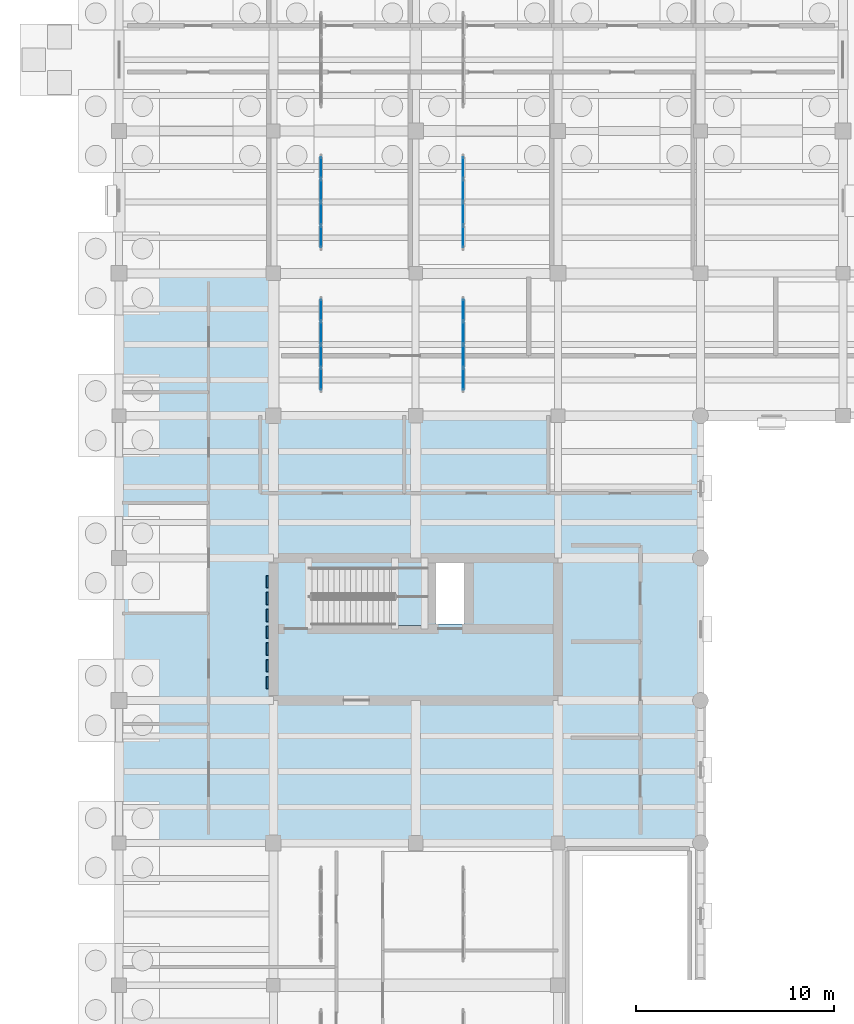
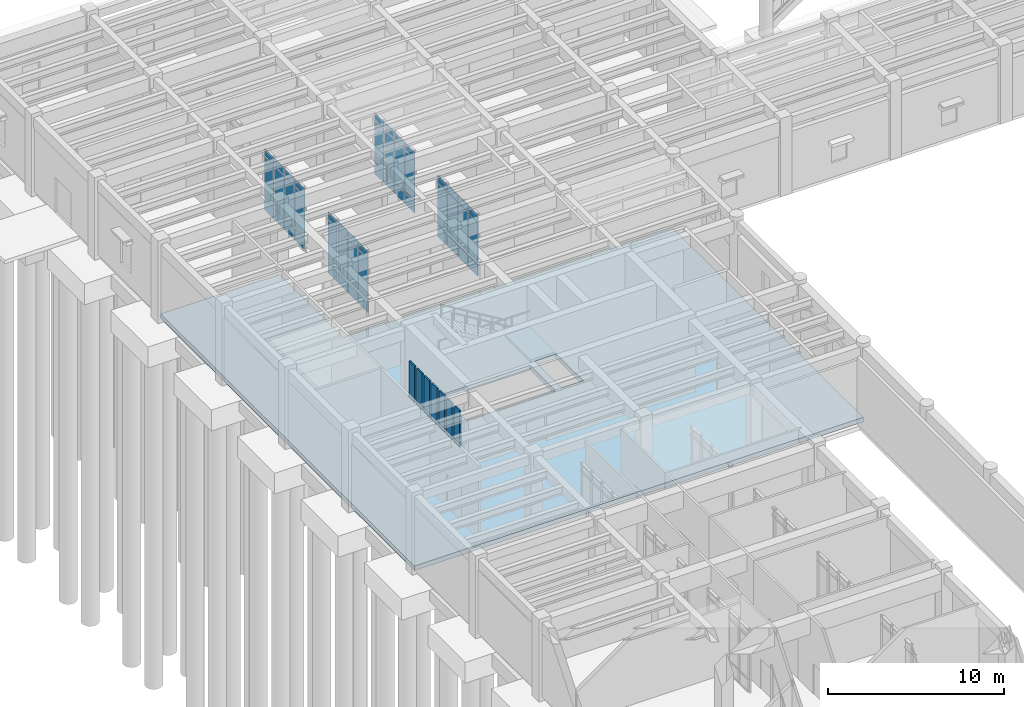
# One storey, part 56 of 100: 55 plates, 2 slabs, 5 elements without a shape of their own.
"""IFC4 building model written with IfcOpenShell, lengths in metres."""

from ifc_helpers import new_model, si_unit, direction, frame, origin, origin_2d, place, context, subcontext, project, spatial, polyline, rectangle, outline, extrude, material, layer, layer_set, type_object, element, aggregate, save


model = new_model("IFC4")

# Units and contexts
model_context = context("Model", 3, precision=1e-05, world=origin(), true_north=direction((0.0, 1.0)))
body_context = subcontext(model_context, "Body", "Model", "MODEL_VIEW")
ifc_project = project(units=[si_unit("LENGTHUNIT", "METRE"), si_unit("AREAUNIT", "SQUARE_METRE"), si_unit("VOLUMEUNIT", "CUBIC_METRE"), si_unit("PLANEANGLEUNIT", "RADIAN"), si_unit("MASSUNIT", "GRAM", prefix="KILO")], contexts=[model_context])

# Site, building, storey
site_placement = place(None, origin())
site = spatial("IfcSite", under=ifc_project, at=site_placement, CompositionType="ELEMENT")
building_placement = place(site_placement, origin())
building = spatial("IfcBuilding", under=site, at=building_placement, Name="Mithqara Police Headquarters", CompositionType="ELEMENT")
storey_placement = place(building_placement, origin())
storey = spatial("IfcBuildingStorey", under=building, at=storey_placement, Name="L00", CompositionType="ELEMENT", Elevation=0.0)

# Curtain wall, plates
ifc_material_1 = material(Name="Bronze anodised aluminium 6063-T6", Category="aluminium")
curtain_wall_type = type_object("IfcCurtainWallType", Name="CURTAIN WALL 4700X4400", PredefinedType="USERDEFINED", material=ifc_material_1)
curtain_wall_1_placement = place(storey_placement, origin())
curtain_wall_1 = element("IfcCurtainWall", 1, at=curtain_wall_1_placement, inside=storey, type_object=curtain_wall_type, Name="L00 Unitised Glazing CW-14 (CW-INT-L00-X01-Y11-0)", ObjectType="UNITISED GLAZING", PredefinedType="USERDEFINED")
ifc_material_2 = material(Name="Spectrally selective double low-e glass", Category="glass")
ifc_layer_1 = layer(ifc_material_2, 0.028076171875, Name="Spectrally selective double low-e glass")
ifc_layer_set_1 = layer_set([ifc_layer_1], Name="Spectrally selective double low-e glass")
plate_type_1 = type_object("IfcPlateType", Name="CWPANEL GLASS28", PredefinedType="CURTAIN_PANEL", material=ifc_layer_set_1)
plate_1_placement = place(storey_placement, frame((10.199951171875, 80.456298828125, 0.074951171875), z_axis=(0.0, 0.0, 1.0), x_axis=(0.0, 1.0, 0.0)))
plate_1 = element("IfcPlate", 2, at=plate_1_placement, type_object=plate_type_1, Name="CW-14 panel 1.1", PredefinedType="CURTAIN_PANEL", context=body_context, shape_type="SweptSolid", body=[
    extrude(rectangle(XDim=1.0625, YDim=0.028076171875, at=origin_2d()), origin(), (0.0, 0.0, 1.0), 0.78759765625),
])
plate_2_placement = place(storey_placement, frame((10.199951171875, 80.456298828125, 0.9375), z_axis=(0.0, 0.0, 1.0), x_axis=(0.0, 1.0, 0.0)))
plate_2 = element("IfcPlate", 3, at=plate_2_placement, type_object=plate_type_1, Name="CW-14 panel 1.2", PredefinedType="CURTAIN_PANEL", context=body_context, shape_type="SweptSolid", body=[
    extrude(rectangle(XDim=1.0625, YDim=0.028076171875, at=origin_2d()), origin(), (0.0, 0.0, 1.0), 2.875),
])
plate_3_placement = place(storey_placement, frame((10.199951171875, 80.456298828125, 3.887451171875), z_axis=(0.0, 0.0, 1.0), x_axis=(0.0, 1.0, 0.0)))
plate_3 = element("IfcPlate", 4, at=plate_3_placement, type_object=plate_type_1, Name="CW-14 panel 1.3", PredefinedType="CURTAIN_PANEL", context=body_context, shape_type="SweptSolid", body=[
    extrude(rectangle(XDim=1.0625, YDim=0.028076171875, at=origin_2d()), origin(), (0.0, 0.0, 1.0), 0.4375),
])
plate_4_placement = place(storey_placement, frame((10.199951171875, 81.612548828125, 0.074951171875), z_axis=(0.0, 0.0, 1.0), x_axis=(0.0, 1.0, 0.0)))
plate_4 = element("IfcPlate", 5, at=plate_4_placement, type_object=plate_type_1, Name="CW-14 panel 2.1", PredefinedType="CURTAIN_PANEL", context=body_context, shape_type="SweptSolid", body=[
    extrude(rectangle(XDim=1.10009765625, YDim=0.028076171875, at=origin_2d()), origin(), (0.0, 0.0, 1.0), 0.78759765625),
])
plate_5_placement = place(storey_placement, frame((10.199951171875, 81.612548828125, 0.9375), z_axis=(0.0, 0.0, 1.0), x_axis=(0.0, 1.0, 0.0)))
plate_5 = element("IfcPlate", 6, at=plate_5_placement, type_object=plate_type_1, Name="CW-14 panel 2.2", PredefinedType="CURTAIN_PANEL", context=body_context, shape_type="SweptSolid", body=[
    extrude(rectangle(XDim=1.10009765625, YDim=0.028076171875, at=origin_2d()), origin(), (0.0, 0.0, 1.0), 2.875),
])
plate_6_placement = place(storey_placement, frame((10.199951171875, 81.612548828125, 3.887451171875), z_axis=(0.0, 0.0, 1.0), x_axis=(0.0, 1.0, 0.0)))
plate_6 = element("IfcPlate", 7, at=plate_6_placement, type_object=plate_type_1, Name="CW-14 panel 2.3", PredefinedType="CURTAIN_PANEL", context=body_context, shape_type="SweptSolid", body=[
    extrude(rectangle(XDim=1.10009765625, YDim=0.028076171875, at=origin_2d()), origin(), (0.0, 0.0, 1.0), 0.4375),
])
plate_7_placement = place(storey_placement, frame((10.199951171875, 82.78759765625, 0.074951171875), z_axis=(0.0, 0.0, 1.0), x_axis=(0.0, 1.0, 0.0)))
plate_7 = element("IfcPlate", 8, at=plate_7_placement, type_object=plate_type_1, Name="CW-14 panel 3.1", PredefinedType="CURTAIN_PANEL", context=body_context, shape_type="SweptSolid", body=[
    extrude(rectangle(XDim=1.10009765625, YDim=0.028076171875, at=origin_2d()), origin(), (0.0, 0.0, 1.0), 0.78759765625),
])
plate_8_placement = place(storey_placement, frame((10.199951171875, 82.78759765625, 0.9375), z_axis=(0.0, 0.0, 1.0), x_axis=(0.0, 1.0, 0.0)))
plate_8 = element("IfcPlate", 9, at=plate_8_placement, type_object=plate_type_1, Name="CW-14 panel 3.2", PredefinedType="CURTAIN_PANEL", context=body_context, shape_type="SweptSolid", body=[
    extrude(rectangle(XDim=1.10009765625, YDim=0.028076171875, at=origin_2d()), origin(), (0.0, 0.0, 1.0), 2.875),
])
plate_9_placement = place(storey_placement, frame((10.199951171875, 82.78759765625, 3.887451171875), z_axis=(0.0, 0.0, 1.0), x_axis=(0.0, 1.0, 0.0)))
plate_9 = element("IfcPlate", 10, at=plate_9_placement, type_object=plate_type_1, Name="CW-14 panel 3.3", PredefinedType="CURTAIN_PANEL", context=body_context, shape_type="SweptSolid", body=[
    extrude(rectangle(XDim=1.10009765625, YDim=0.028076171875, at=origin_2d()), origin(), (0.0, 0.0, 1.0), 0.4375),
])
plate_10_placement = place(storey_placement, frame((10.199951171875, 83.94384765625, 0.074951171875), z_axis=(0.0, 0.0, 1.0), x_axis=(0.0, 1.0, 0.0)))
plate_10 = element("IfcPlate", 11, at=plate_10_placement, type_object=plate_type_1, Name="CW-14 panel 4.1", PredefinedType="CURTAIN_PANEL", context=body_context, shape_type="SweptSolid", body=[
    extrude(rectangle(XDim=1.0625, YDim=0.028076171875, at=origin_2d()), origin(), (0.0, 0.0, 1.0), 0.78759765625),
])
plate_11_placement = place(storey_placement, frame((10.199951171875, 83.94384765625, 0.9375), z_axis=(0.0, 0.0, 1.0), x_axis=(0.0, 1.0, 0.0)))
plate_11 = element("IfcPlate", 12, at=plate_11_placement, type_object=plate_type_1, Name="CW-14 panel 4.2", PredefinedType="CURTAIN_PANEL", context=body_context, shape_type="SweptSolid", body=[
    extrude(rectangle(XDim=1.0625, YDim=0.028076171875, at=origin_2d()), origin(), (0.0, 0.0, 1.0), 2.875),
])
plate_12_placement = place(storey_placement, frame((10.199951171875, 83.94384765625, 3.887451171875), z_axis=(0.0, 0.0, 1.0), x_axis=(0.0, 1.0, 0.0)))
plate_12 = element("IfcPlate", 13, at=plate_12_placement, type_object=plate_type_1, Name="CW-14 panel 4.3", PredefinedType="CURTAIN_PANEL", context=body_context, shape_type="SweptSolid", body=[
    extrude(rectangle(XDim=1.0625, YDim=0.028076171875, at=origin_2d()), origin(), (0.0, 0.0, 1.0), 0.4375),
])
aggregate(curtain_wall_1, [plate_1, plate_2, plate_3, plate_4, plate_5, plate_6, plate_7, plate_8, plate_9, plate_10, plate_11, plate_12])

curtain_wall_2_placement = place(storey_placement, origin())
curtain_wall_2 = element("IfcCurtainWall", 14, at=curtain_wall_2_placement, inside=storey, type_object=curtain_wall_type, Name="L00 Unitised Glazing CW-14 (CW-INT-L00-X01-Y12-0)", ObjectType="UNITISED GLAZING", PredefinedType="USERDEFINED")
plate_13_placement = place(storey_placement, frame((10.199951171875, 87.65625, 0.074951171875), z_axis=(0.0, 0.0, 1.0), x_axis=(0.0, 1.0, 0.0)))
plate_13 = element("IfcPlate", 15, at=plate_13_placement, type_object=plate_type_1, Name="CW-14 panel 1.1", PredefinedType="CURTAIN_PANEL", context=body_context, shape_type="SweptSolid", body=[
    extrude(rectangle(XDim=1.0625, YDim=0.028076171875, at=origin_2d()), origin(), (0.0, 0.0, 1.0), 0.78759765625),
])
plate_14_placement = place(storey_placement, frame((10.199951171875, 87.65625, 0.9375), z_axis=(0.0, 0.0, 1.0), x_axis=(0.0, 1.0, 0.0)))
plate_14 = element("IfcPlate", 16, at=plate_14_placement, type_object=plate_type_1, Name="CW-14 panel 1.2", PredefinedType="CURTAIN_PANEL", context=body_context, shape_type="SweptSolid", body=[
    extrude(rectangle(XDim=1.0625, YDim=0.028076171875, at=origin_2d()), origin(), (0.0, 0.0, 1.0), 2.875),
])
plate_15_placement = place(storey_placement, frame((10.199951171875, 87.65625, 3.887451171875), z_axis=(0.0, 0.0, 1.0), x_axis=(0.0, 1.0, 0.0)))
plate_15 = element("IfcPlate", 17, at=plate_15_placement, type_object=plate_type_1, Name="CW-14 panel 1.3", PredefinedType="CURTAIN_PANEL", context=body_context, shape_type="SweptSolid", body=[
    extrude(rectangle(XDim=1.0625, YDim=0.028076171875, at=origin_2d()), origin(), (0.0, 0.0, 1.0), 0.4375),
])
plate_16_placement = place(storey_placement, frame((10.199951171875, 88.8125, 0.074951171875), z_axis=(0.0, 0.0, 1.0), x_axis=(0.0, 1.0, 0.0)))
plate_16 = element("IfcPlate", 18, at=plate_16_placement, type_object=plate_type_1, Name="CW-14 panel 2.1", PredefinedType="CURTAIN_PANEL", context=body_context, shape_type="SweptSolid", body=[
    extrude(rectangle(XDim=1.10009765625, YDim=0.028076171875, at=origin_2d()), origin(), (0.0, 0.0, 1.0), 0.78759765625),
])
plate_17_placement = place(storey_placement, frame((10.199951171875, 88.8125, 0.9375), z_axis=(0.0, 0.0, 1.0), x_axis=(0.0, 1.0, 0.0)))
plate_17 = element("IfcPlate", 19, at=plate_17_placement, type_object=plate_type_1, Name="CW-14 panel 2.2", PredefinedType="CURTAIN_PANEL", context=body_context, shape_type="SweptSolid", body=[
    extrude(rectangle(XDim=1.10009765625, YDim=0.028076171875, at=origin_2d()), origin(), (0.0, 0.0, 1.0), 2.875),
])
plate_18_placement = place(storey_placement, frame((10.199951171875, 88.8125, 3.887451171875), z_axis=(0.0, 0.0, 1.0), x_axis=(0.0, 1.0, 0.0)))
plate_18 = element("IfcPlate", 20, at=plate_18_placement, type_object=plate_type_1, Name="CW-14 panel 2.3", PredefinedType="CURTAIN_PANEL", context=body_context, shape_type="SweptSolid", body=[
    extrude(rectangle(XDim=1.10009765625, YDim=0.028076171875, at=origin_2d()), origin(), (0.0, 0.0, 1.0), 0.4375),
])
plate_19_placement = place(storey_placement, frame((10.199951171875, 89.987548828125, 0.074951171875), z_axis=(0.0, 0.0, 1.0), x_axis=(0.0, 1.0, 0.0)))
plate_19 = element("IfcPlate", 21, at=plate_19_placement, type_object=plate_type_1, Name="CW-14 panel 3.1", PredefinedType="CURTAIN_PANEL", context=body_context, shape_type="SweptSolid", body=[
    extrude(rectangle(XDim=1.10009765625, YDim=0.028076171875, at=origin_2d()), origin(), (0.0, 0.0, 1.0), 0.78759765625),
])
plate_20_placement = place(storey_placement, frame((10.199951171875, 89.987548828125, 0.9375), z_axis=(0.0, 0.0, 1.0), x_axis=(0.0, 1.0, 0.0)))
plate_20 = element("IfcPlate", 22, at=plate_20_placement, type_object=plate_type_1, Name="CW-14 panel 3.2", PredefinedType="CURTAIN_PANEL", context=body_context, shape_type="SweptSolid", body=[
    extrude(rectangle(XDim=1.10009765625, YDim=0.028076171875, at=origin_2d()), origin(), (0.0, 0.0, 1.0), 2.875),
])
plate_21_placement = place(storey_placement, frame((10.199951171875, 89.987548828125, 3.887451171875), z_axis=(0.0, 0.0, 1.0), x_axis=(0.0, 1.0, 0.0)))
plate_21 = element("IfcPlate", 23, at=plate_21_placement, type_object=plate_type_1, Name="CW-14 panel 3.3", PredefinedType="CURTAIN_PANEL", context=body_context, shape_type="SweptSolid", body=[
    extrude(rectangle(XDim=1.10009765625, YDim=0.028076171875, at=origin_2d()), origin(), (0.0, 0.0, 1.0), 0.4375),
])
plate_22_placement = place(storey_placement, frame((10.199951171875, 91.143798828125, 0.074951171875), z_axis=(0.0, 0.0, 1.0), x_axis=(0.0, 1.0, 0.0)))
plate_22 = element("IfcPlate", 24, at=plate_22_placement, type_object=plate_type_1, Name="CW-14 panel 4.1", PredefinedType="CURTAIN_PANEL", context=body_context, shape_type="SweptSolid", body=[
    extrude(rectangle(XDim=1.0625, YDim=0.028076171875, at=origin_2d()), origin(), (0.0, 0.0, 1.0), 0.78759765625),
])
plate_23_placement = place(storey_placement, frame((10.199951171875, 91.143798828125, 0.9375), z_axis=(0.0, 0.0, 1.0), x_axis=(0.0, 1.0, 0.0)))
plate_23 = element("IfcPlate", 25, at=plate_23_placement, type_object=plate_type_1, Name="CW-14 panel 4.2", PredefinedType="CURTAIN_PANEL", context=body_context, shape_type="SweptSolid", body=[
    extrude(rectangle(XDim=1.0625, YDim=0.028076171875, at=origin_2d()), origin(), (0.0, 0.0, 1.0), 2.875),
])
plate_24_placement = place(storey_placement, frame((10.199951171875, 91.143798828125, 3.887451171875), z_axis=(0.0, 0.0, 1.0), x_axis=(0.0, 1.0, 0.0)))
plate_24 = element("IfcPlate", 26, at=plate_24_placement, type_object=plate_type_1, Name="CW-14 panel 4.3", PredefinedType="CURTAIN_PANEL", context=body_context, shape_type="SweptSolid", body=[
    extrude(rectangle(XDim=1.0625, YDim=0.028076171875, at=origin_2d()), origin(), (0.0, 0.0, 1.0), 0.4375),
])
aggregate(curtain_wall_2, [plate_13, plate_14, plate_15, plate_16, plate_17, plate_18, plate_19, plate_20, plate_21, plate_22, plate_23, plate_24])

curtain_wall_3_placement = place(storey_placement, origin())
curtain_wall_3 = element("IfcCurtainWall", 27, at=curtain_wall_3_placement, inside=storey, type_object=curtain_wall_type, Name="L00 Unitised Glazing CW-14 (CW-INT-L00-X02-Y12-0)", ObjectType="UNITISED GLAZING", PredefinedType="USERDEFINED")
plate_25_placement = place(storey_placement, frame((17.39990234375, 87.65625, 0.074951171875), z_axis=(0.0, 0.0, 1.0), x_axis=(0.0, 1.0, 0.0)))
plate_25 = element("IfcPlate", 28, at=plate_25_placement, type_object=plate_type_1, Name="CW-14 panel 1.1", PredefinedType="CURTAIN_PANEL", context=body_context, shape_type="SweptSolid", body=[
    extrude(rectangle(XDim=1.0625, YDim=0.028076171875, at=origin_2d()), origin(), (0.0, 0.0, 1.0), 0.78759765625),
])
plate_26_placement = place(storey_placement, frame((17.39990234375, 87.65625, 0.9375), z_axis=(0.0, 0.0, 1.0), x_axis=(0.0, 1.0, 0.0)))
plate_26 = element("IfcPlate", 29, at=plate_26_placement, type_object=plate_type_1, Name="CW-14 panel 1.2", PredefinedType="CURTAIN_PANEL", context=body_context, shape_type="SweptSolid", body=[
    extrude(rectangle(XDim=1.0625, YDim=0.028076171875, at=origin_2d()), origin(), (0.0, 0.0, 1.0), 2.875),
])
plate_27_placement = place(storey_placement, frame((17.39990234375, 87.65625, 3.887451171875), z_axis=(0.0, 0.0, 1.0), x_axis=(0.0, 1.0, 0.0)))
plate_27 = element("IfcPlate", 30, at=plate_27_placement, type_object=plate_type_1, Name="CW-14 panel 1.3", PredefinedType="CURTAIN_PANEL", context=body_context, shape_type="SweptSolid", body=[
    extrude(rectangle(XDim=1.0625, YDim=0.028076171875, at=origin_2d()), origin(), (0.0, 0.0, 1.0), 0.4375),
])
plate_28_placement = place(storey_placement, frame((17.39990234375, 88.8125, 0.074951171875), z_axis=(0.0, 0.0, 1.0), x_axis=(0.0, 1.0, 0.0)))
plate_28 = element("IfcPlate", 31, at=plate_28_placement, type_object=plate_type_1, Name="CW-14 panel 2.1", PredefinedType="CURTAIN_PANEL", context=body_context, shape_type="SweptSolid", body=[
    extrude(rectangle(XDim=1.10009765625, YDim=0.028076171875, at=origin_2d()), origin(), (0.0, 0.0, 1.0), 0.78759765625),
])
plate_29_placement = place(storey_placement, frame((17.39990234375, 88.8125, 0.9375), z_axis=(0.0, 0.0, 1.0), x_axis=(0.0, 1.0, 0.0)))
plate_29 = element("IfcPlate", 32, at=plate_29_placement, type_object=plate_type_1, Name="CW-14 panel 2.2", PredefinedType="CURTAIN_PANEL", context=body_context, shape_type="SweptSolid", body=[
    extrude(rectangle(XDim=1.10009765625, YDim=0.028076171875, at=origin_2d()), origin(), (0.0, 0.0, 1.0), 2.875),
])
plate_30_placement = place(storey_placement, frame((17.39990234375, 88.8125, 3.887451171875), z_axis=(0.0, 0.0, 1.0), x_axis=(0.0, 1.0, 0.0)))
plate_30 = element("IfcPlate", 33, at=plate_30_placement, type_object=plate_type_1, Name="CW-14 panel 2.3", PredefinedType="CURTAIN_PANEL", context=body_context, shape_type="SweptSolid", body=[
    extrude(rectangle(XDim=1.10009765625, YDim=0.028076171875, at=origin_2d()), origin(), (0.0, 0.0, 1.0), 0.4375),
])
plate_31_placement = place(storey_placement, frame((17.39990234375, 89.987548828125, 0.074951171875), z_axis=(0.0, 0.0, 1.0), x_axis=(0.0, 1.0, 0.0)))
plate_31 = element("IfcPlate", 34, at=plate_31_placement, type_object=plate_type_1, Name="CW-14 panel 3.1", PredefinedType="CURTAIN_PANEL", context=body_context, shape_type="SweptSolid", body=[
    extrude(rectangle(XDim=1.10009765625, YDim=0.028076171875, at=origin_2d()), origin(), (0.0, 0.0, 1.0), 0.78759765625),
])
plate_32_placement = place(storey_placement, frame((17.39990234375, 89.987548828125, 0.9375), z_axis=(0.0, 0.0, 1.0), x_axis=(0.0, 1.0, 0.0)))
plate_32 = element("IfcPlate", 35, at=plate_32_placement, type_object=plate_type_1, Name="CW-14 panel 3.2", PredefinedType="CURTAIN_PANEL", context=body_context, shape_type="SweptSolid", body=[
    extrude(rectangle(XDim=1.10009765625, YDim=0.028076171875, at=origin_2d()), origin(), (0.0, 0.0, 1.0), 2.875),
])
plate_33_placement = place(storey_placement, frame((17.39990234375, 89.987548828125, 3.887451171875), z_axis=(0.0, 0.0, 1.0), x_axis=(0.0, 1.0, 0.0)))
plate_33 = element("IfcPlate", 36, at=plate_33_placement, type_object=plate_type_1, Name="CW-14 panel 3.3", PredefinedType="CURTAIN_PANEL", context=body_context, shape_type="SweptSolid", body=[
    extrude(rectangle(XDim=1.10009765625, YDim=0.028076171875, at=origin_2d()), origin(), (0.0, 0.0, 1.0), 0.4375),
])
plate_34_placement = place(storey_placement, frame((17.39990234375, 91.143798828125, 0.074951171875), z_axis=(0.0, 0.0, 1.0), x_axis=(0.0, 1.0, 0.0)))
plate_34 = element("IfcPlate", 37, at=plate_34_placement, type_object=plate_type_1, Name="CW-14 panel 4.1", PredefinedType="CURTAIN_PANEL", context=body_context, shape_type="SweptSolid", body=[
    extrude(rectangle(XDim=1.0625, YDim=0.028076171875, at=origin_2d()), origin(), (0.0, 0.0, 1.0), 0.78759765625),
])
plate_35_placement = place(storey_placement, frame((17.39990234375, 91.143798828125, 0.9375), z_axis=(0.0, 0.0, 1.0), x_axis=(0.0, 1.0, 0.0)))
plate_35 = element("IfcPlate", 38, at=plate_35_placement, type_object=plate_type_1, Name="CW-14 panel 4.2", PredefinedType="CURTAIN_PANEL", context=body_context, shape_type="SweptSolid", body=[
    extrude(rectangle(XDim=1.0625, YDim=0.028076171875, at=origin_2d()), origin(), (0.0, 0.0, 1.0), 2.875),
])
plate_36_placement = place(storey_placement, frame((17.39990234375, 91.143798828125, 3.887451171875), z_axis=(0.0, 0.0, 1.0), x_axis=(0.0, 1.0, 0.0)))
plate_36 = element("IfcPlate", 39, at=plate_36_placement, type_object=plate_type_1, Name="CW-14 panel 4.3", PredefinedType="CURTAIN_PANEL", context=body_context, shape_type="SweptSolid", body=[
    extrude(rectangle(XDim=1.0625, YDim=0.028076171875, at=origin_2d()), origin(), (0.0, 0.0, 1.0), 0.4375),
])
aggregate(curtain_wall_3, [plate_25, plate_26, plate_27, plate_28, plate_29, plate_30, plate_31, plate_32, plate_33, plate_34, plate_35, plate_36])

curtain_wall_4_placement = place(storey_placement, origin())
curtain_wall_4 = element("IfcCurtainWall", 40, at=curtain_wall_4_placement, inside=storey, type_object=curtain_wall_type, Name="L00 Unitised Glazing CW-14 (CW-INT-L00-X02-Y11-0)", ObjectType="UNITISED GLAZING", PredefinedType="USERDEFINED")
ifc_material_3 = material(Name="Insulated bronze aluminium spandrel panel", Category="aluminium")
ifc_layer_2 = layer(ifc_material_3, 0.048095703125, Name="Insulated bronze aluminium spandrel panel")
ifc_layer_set_2 = layer_set([ifc_layer_2], Name="Insulated bronze aluminium spandrel panel")
plate_type_2 = type_object("IfcPlateType", Name="CWPANEL SPANDREL48", PredefinedType="CURTAIN_PANEL", material=ifc_layer_set_2)
plate_37_placement = place(storey_placement, frame((17.39990234375, 80.456298828125, 0.074951171875), z_axis=(0.0, 0.0, 1.0), x_axis=(0.0, 1.0, 0.0)))
plate_37 = element("IfcPlate", 41, at=plate_37_placement, type_object=plate_type_2, Name="CW-14 panel 1.1", PredefinedType="CURTAIN_PANEL", context=body_context, shape_type="SweptSolid", body=[
    extrude(rectangle(XDim=1.0625, YDim=0.048095703125, at=origin_2d()), origin(), (0.0, 0.0, 1.0), 0.78759765625),
])
plate_38_placement = place(storey_placement, frame((17.39990234375, 80.456298828125, 0.9375), z_axis=(0.0, 0.0, 1.0), x_axis=(0.0, 1.0, 0.0)))
plate_38 = element("IfcPlate", 42, at=plate_38_placement, type_object=plate_type_2, Name="CW-14 panel 1.2", PredefinedType="CURTAIN_PANEL", context=body_context, shape_type="SweptSolid", body=[
    extrude(rectangle(XDim=1.0625, YDim=0.048095703125, at=origin_2d()), origin(), (0.0, 0.0, 1.0), 2.875),
])
plate_39_placement = place(storey_placement, frame((17.39990234375, 80.456298828125, 3.887451171875), z_axis=(0.0, 0.0, 1.0), x_axis=(0.0, 1.0, 0.0)))
plate_39 = element("IfcPlate", 43, at=plate_39_placement, type_object=plate_type_2, Name="CW-14 panel 1.3", PredefinedType="CURTAIN_PANEL", context=body_context, shape_type="SweptSolid", body=[
    extrude(rectangle(XDim=1.0625, YDim=0.048095703125, at=origin_2d()), origin(), (0.0, 0.0, 1.0), 0.4375),
])
plate_40_placement = place(storey_placement, frame((17.39990234375, 81.612548828125, 0.074951171875), z_axis=(0.0, 0.0, 1.0), x_axis=(0.0, 1.0, 0.0)))
plate_40 = element("IfcPlate", 44, at=plate_40_placement, type_object=plate_type_2, Name="CW-14 panel 2.1", PredefinedType="CURTAIN_PANEL", context=body_context, shape_type="SweptSolid", body=[
    extrude(rectangle(XDim=1.10009765625, YDim=0.048095703125, at=origin_2d()), origin(), (0.0, 0.0, 1.0), 0.78759765625),
])
plate_41_placement = place(storey_placement, frame((17.39990234375, 81.612548828125, 0.9375), z_axis=(0.0, 0.0, 1.0), x_axis=(0.0, 1.0, 0.0)))
plate_41 = element("IfcPlate", 45, at=plate_41_placement, type_object=plate_type_2, Name="CW-14 panel 2.2", PredefinedType="CURTAIN_PANEL", context=body_context, shape_type="SweptSolid", body=[
    extrude(rectangle(XDim=1.10009765625, YDim=0.048095703125, at=origin_2d()), origin(), (0.0, 0.0, 1.0), 2.875),
])
plate_42_placement = place(storey_placement, frame((17.39990234375, 81.612548828125, 3.887451171875), z_axis=(0.0, 0.0, 1.0), x_axis=(0.0, 1.0, 0.0)))
plate_42 = element("IfcPlate", 46, at=plate_42_placement, type_object=plate_type_2, Name="CW-14 panel 2.3", PredefinedType="CURTAIN_PANEL", context=body_context, shape_type="SweptSolid", body=[
    extrude(rectangle(XDim=1.10009765625, YDim=0.048095703125, at=origin_2d()), origin(), (0.0, 0.0, 1.0), 0.4375),
])
plate_43_placement = place(storey_placement, frame((17.39990234375, 82.78759765625, 0.074951171875), z_axis=(0.0, 0.0, 1.0), x_axis=(0.0, 1.0, 0.0)))
plate_43 = element("IfcPlate", 47, at=plate_43_placement, type_object=plate_type_2, Name="CW-14 panel 3.1", PredefinedType="CURTAIN_PANEL", context=body_context, shape_type="SweptSolid", body=[
    extrude(rectangle(XDim=1.10009765625, YDim=0.048095703125, at=origin_2d()), origin(), (0.0, 0.0, 1.0), 0.78759765625),
])
plate_44_placement = place(storey_placement, frame((17.39990234375, 82.78759765625, 0.9375), z_axis=(0.0, 0.0, 1.0), x_axis=(0.0, 1.0, 0.0)))
plate_44 = element("IfcPlate", 48, at=plate_44_placement, type_object=plate_type_2, Name="CW-14 panel 3.2", PredefinedType="CURTAIN_PANEL", context=body_context, shape_type="SweptSolid", body=[
    extrude(rectangle(XDim=1.10009765625, YDim=0.048095703125, at=origin_2d()), origin(), (0.0, 0.0, 1.0), 2.875),
])
plate_45_placement = place(storey_placement, frame((17.39990234375, 82.78759765625, 3.887451171875), z_axis=(0.0, 0.0, 1.0), x_axis=(0.0, 1.0, 0.0)))
plate_45 = element("IfcPlate", 49, at=plate_45_placement, type_object=plate_type_2, Name="CW-14 panel 3.3", PredefinedType="CURTAIN_PANEL", context=body_context, shape_type="SweptSolid", body=[
    extrude(rectangle(XDim=1.10009765625, YDim=0.048095703125, at=origin_2d()), origin(), (0.0, 0.0, 1.0), 0.4375),
])
plate_46_placement = place(storey_placement, frame((17.39990234375, 83.94384765625, 0.074951171875), z_axis=(0.0, 0.0, 1.0), x_axis=(0.0, 1.0, 0.0)))
plate_46 = element("IfcPlate", 50, at=plate_46_placement, type_object=plate_type_2, Name="CW-14 panel 4.1", PredefinedType="CURTAIN_PANEL", context=body_context, shape_type="SweptSolid", body=[
    extrude(rectangle(XDim=1.0625, YDim=0.048095703125, at=origin_2d()), origin(), (0.0, 0.0, 1.0), 0.78759765625),
])
plate_47_placement = place(storey_placement, frame((17.39990234375, 83.94384765625, 0.9375), z_axis=(0.0, 0.0, 1.0), x_axis=(0.0, 1.0, 0.0)))
plate_47 = element("IfcPlate", 51, at=plate_47_placement, type_object=plate_type_2, Name="CW-14 panel 4.2", PredefinedType="CURTAIN_PANEL", context=body_context, shape_type="SweptSolid", body=[
    extrude(rectangle(XDim=1.0625, YDim=0.048095703125, at=origin_2d()), origin(), (0.0, 0.0, 1.0), 2.875),
])
plate_48_placement = place(storey_placement, frame((17.39990234375, 83.94384765625, 3.887451171875), z_axis=(0.0, 0.0, 1.0), x_axis=(0.0, 1.0, 0.0)))
plate_48 = element("IfcPlate", 52, at=plate_48_placement, type_object=plate_type_2, Name="CW-14 panel 4.3", PredefinedType="CURTAIN_PANEL", context=body_context, shape_type="SweptSolid", body=[
    extrude(rectangle(XDim=1.0625, YDim=0.048095703125, at=origin_2d()), origin(), (0.0, 0.0, 1.0), 0.4375),
])
aggregate(curtain_wall_4, [plate_37, plate_38, plate_39, plate_40, plate_41, plate_42, plate_43, plate_44, plate_45, plate_46, plate_47, plate_48])

# Slab
ifc_material_4 = material(Name="Concrete C40/50", Category="concrete")
ifc_layer_3 = layer(ifc_material_4, 0.320068359375, Name="Concrete C40/50")
ifc_layer_set_3 = layer_set([ifc_layer_3], Name="Concrete C40/50")
slab_type_1 = type_object("IfcSlabType", Name="FLOOR SLAB 320", PredefinedType="FLOOR", material=ifc_layer_set_3)
slab_1_placement = place(storey_placement, frame((0.0, 0.0, -0.320068359375)))
element("IfcSlab", 53, at=slab_1_placement, inside=storey, type_object=slab_type_1, Name="L00 Structural Slab L00-V5W", PredefinedType="FLOOR", context=body_context, shape_type="SweptSolid", body=[
    extrude(outline(polyline([(29.39990234375, 57.0), (0.0, 57.0), (0.0, 85.800048828125), (7.800048828125, 85.800048828125), (7.800048828125, 78.60009765625), (29.39990234375, 78.60009765625), (29.39990234375, 57.0)]), holes=[polyline([(9.75, 68.0), (15.60009765625, 68.0), (15.60009765625, 70.89990234375), (9.75, 70.89990234375), (9.75, 68.0)]), polyline([(17.449951171875, 68.070068359375), (17.449951171875, 71.14990234375), (16.030029296875, 71.14990234375), (16.030029296875, 68.070068359375), (17.449951171875, 68.070068359375)])]), origin(), (0.0, 0.0, 1.0), 0.320068359375),
])

# Stair, slab
stair_type = type_object("IfcStairType", Name="STAIR ST 03-R32", PredefinedType="HALF_TURN_STAIR", material=ifc_material_4)
stair_placement = place(storey_placement, origin())
stair = element("IfcStair", 54, at=stair_placement, inside=storey, type_object=stair_type, Name="L00 Core C3 Operations West Exit Stair", PredefinedType="HALF_TURN_STAIR")
ifc_layer_4 = layer(ifc_material_4, 0.199951171875, Name="Concrete C40/50")
ifc_layer_set_4 = layer_set([ifc_layer_4], Name="Concrete C40/50")
slab_type_2 = type_object("IfcSlabType", Name="STAIR LANDING 200", PredefinedType="LANDING", material=ifc_layer_set_4)
slab_2_placement = place(storey_placement, frame((0.0, 0.0, 2.5)))
slab_2 = element("IfcSlab", 55, at=slab_2_placement, type_object=slab_type_2, Name="ST-03 landing 1", PredefinedType="LANDING", context=body_context, shape_type="SweptSolid", body=[
    extrude(outline(polyline([(13.949951171875, 68.0), (15.60009765625, 68.0), (15.60009765625, 70.89990234375), (13.949951171875, 70.89990234375), (13.949951171875, 68.0)])), origin(), (0.0, 0.0, 1.0), 0.199951171875),
])
aggregate(stair, [slab_2])

# Plates
ifc_material_5 = material(Name="Limestone ashlar masonry, 45 MPa", Category="masonry")
ifc_layer_5 = layer(ifc_material_5, 0.10009765625, Name="Limestone ashlar masonry, 45 MPa")
ifc_layer_set_5 = layer_set([ifc_layer_5], Name="Limestone ashlar masonry, 45 MPa")
plate_type_3 = type_object("IfcPlateType", Name="STONE SCREEN 100", PredefinedType="USERDEFINED", material=ifc_layer_set_5)
for number, where, z_axis, x_axis, name in (
    (56, (7.5048828125, 65.10009765625, 0.89990234375), (0.0, 0.0, 1.0), (0.0, 1.0, 0.0), "L00 Core C3 Pierced Vertical-Slit Screen 1"),
    (57, (7.5048828125, 65.949951171875, 0.89990234375), (0.0, 0.0, 1.0), (0.0, 1.0, 0.0), "L00 Core C3 Pierced Vertical-Slit Screen 2"),
    (58, (7.5048828125, 66.800048828125, 0.89990234375), (0.0, 0.0, 1.0), (0.0, 1.0, 0.0), "L00 Core C3 Pierced Vertical-Slit Screen 3"),
    (59, (7.5048828125, 67.64990234375, 0.89990234375), (0.0, 0.0, 1.0), (0.0, 1.0, 0.0), "L00 Core C3 Pierced Vertical-Slit Screen 4"),
    (60, (7.5048828125, 68.5, 0.89990234375), (0.0, 0.0, 1.0), (0.0, 1.0, 0.0), "L00 Core C3 Pierced Vertical-Slit Screen 5"),
    (61, (7.5048828125, 69.35009765625, 0.89990234375), (0.0, 0.0, 1.0), (0.0, 1.0, 0.0), "L00 Core C3 Pierced Vertical-Slit Screen 6"),
    (62, (7.5048828125, 70.199951171875, 0.89990234375), (0.0, 0.0, 1.0), (0.0, 1.0, 0.0), "L00 Core C3 Pierced Vertical-Slit Screen 7"),
):
    element("IfcPlate", number, at=place(storey_placement, frame(where, z_axis=z_axis, x_axis=x_axis)), inside=storey, type_object=plate_type_3, Name=name, ObjectType="STONE SCREEN", PredefinedType="USERDEFINED", context=body_context, shape_type="SweptSolid", body=[
        extrude(rectangle(XDim=0.6201171875, YDim=0.10009765625, at=origin_2d()), origin(), (0.0, 0.0, 1.0), 2.5),
    ])

save(model, "model.ifc")
